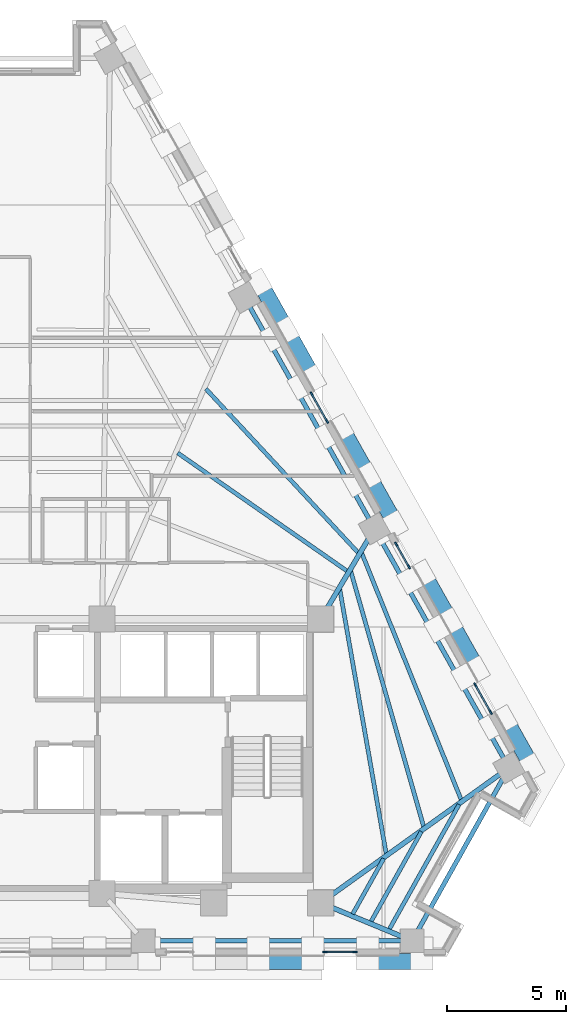
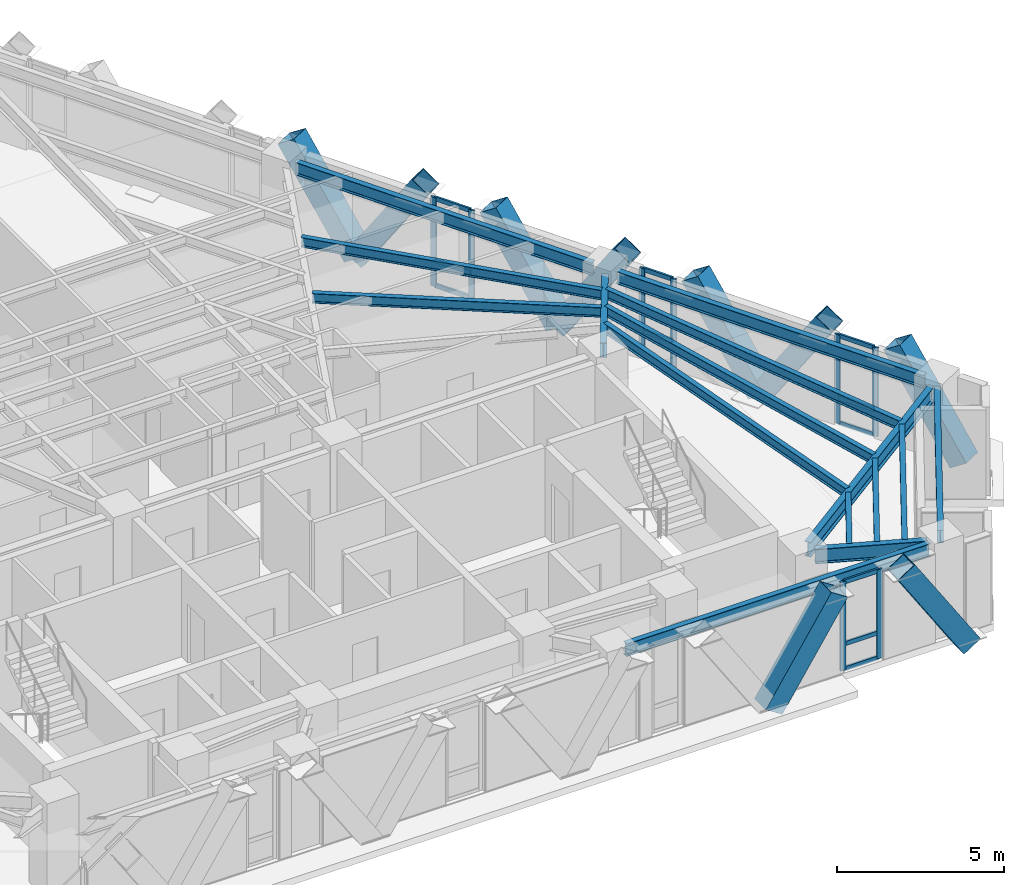
# One storey, part 4 of 13: 29 members, 15 beams, 4 elements without a shape of their own.
"""IFC4 building model written with IfcOpenShell, lengths in metres."""

from ifc_helpers import new_model, si_unit, direction, frame, origin, origin_2d, place, context, subcontext, project, spatial, rectangle, hollow_rectangle, i_section, extrude, material, material_profile, profile_set, type_object, element, aggregate, save


model = new_model("IFC4")

# Units and contexts
model_context = context("Model", 3, precision=1e-05, world=origin(), true_north=direction((0.0, 1.0)))
body_context = subcontext(model_context, "Body", "Model", "MODEL_VIEW")
ifc_project = project(units=[si_unit("LENGTHUNIT", "METRE"), si_unit("AREAUNIT", "SQUARE_METRE"), si_unit("VOLUMEUNIT", "CUBIC_METRE"), si_unit("PLANEANGLEUNIT", "RADIAN"), si_unit("MASSUNIT", "GRAM", prefix="KILO")], contexts=[model_context])

# Site, building, storey
site_placement = place(None, origin())
site = spatial("IfcSite", under=ifc_project, at=site_placement, CompositionType="ELEMENT")
building_placement = place(site_placement, origin())
building = spatial("IfcBuilding", under=site, at=building_placement, Name="Quenlor Broadcast Tower", CompositionType="ELEMENT")
storey_placement = place(building_placement, frame((0.0, 0.0, 130.0)))
storey = spatial("IfcBuildingStorey", under=building, at=storey_placement, Name="L35", CompositionType="ELEMENT", Elevation=130.0)

# Curtain wall, members
ifc_material_1 = material(Name="Architectural Terracotta and Low-E Glazing", Category="masonry")
curtain_wall_type = type_object("IfcCurtainWallType", Name="Unitised Terracotta Curtain Wall System Z3", PredefinedType="NOTDEFINED", material=ifc_material_1)
curtain_wall_1_placement = place(storey_placement, origin())
curtain_wall_1 = element("IfcCurtainWall", 1, at=curtain_wall_1_placement, inside=storey, type_object=curtain_wall_type, Name="L35 Curtain Wall CW3 (L35-SA-G1)", PredefinedType="NOTDEFINED")
ifc_material_2 = material(Name="Aluminium 6063-T6", Category="aluminium")
ifc_material_profile_1 = material_profile(ifc_material_2, rectangle(XDim=0.070068359375, YDim=0.18994140625, at=origin_2d()))
ifc_profile_set_1 = profile_set([ifc_material_profile_1], Name="Aluminium 6063-T6 MULL70x190")
member_type_1 = type_object("IfcMemberType", Name="CW3 Aluminium Mullion MULL_CW3", PredefinedType="MULLION", material=ifc_profile_set_1)
member_1_placement = place(storey_placement, frame((14.409912109375, -18.824951171875, 0.0), z_axis=(0.0, 0.0, 1.0), x_axis=(0.0, -1.0, 0.0)))
member_1 = element("IfcMember", 2, at=member_1_placement, type_object=member_type_1, Name="CW3 mullion 1", PredefinedType="MULLION", context=body_context, shape_type="SweptSolid", body=[
    extrude(rectangle(XDim=0.070068359375, YDim=0.18994140625, at=origin_2d()), origin(), (0.0, 0.0, 1.0), 3.25),
])
member_2_placement = place(storey_placement, frame((13.14208984375, -18.824951171875, 0.0), z_axis=(0.0, 0.0, 1.0), x_axis=(0.0, -1.0, 0.0)))
member_2 = element("IfcMember", 3, at=member_2_placement, type_object=member_type_1, Name="CW3 mullion 2", PredefinedType="MULLION", context=body_context, shape_type="SweptSolid", body=[
    extrude(rectangle(XDim=0.070068359375, YDim=0.18994140625, at=origin_2d()), origin(), (0.0, 0.0, 1.0), 3.25),
])

curtain_wall_2_placement = place(storey_placement, origin())
curtain_wall_2 = element("IfcCurtainWall", 4, at=curtain_wall_2_placement, inside=storey, type_object=curtain_wall_type, Name="L35 Curtain Wall CW3 (L35-NEC-G1)", PredefinedType="NOTDEFINED")
member_3_placement = place(storey_placement, frame((16.137939453125, -1.646728515625, 0.0), z_axis=(0.0, 0.0, 1.0), x_axis=(0.871580169247, 0.490253004657, 0.0)))
member_3 = element("IfcMember", 5, at=member_3_placement, type_object=member_type_1, Name="CW3 mullion 1", PredefinedType="MULLION", context=body_context, shape_type="SweptSolid", body=[
    extrude(rectangle(XDim=0.070068359375, YDim=0.18994140625, at=origin_2d()), origin(), (0.0, 0.0, 1.0), 3.25),
])
member_4_placement = place(storey_placement, frame((16.6689453125, -2.5908203125, 0.0), z_axis=(0.0, 0.0, 1.0), x_axis=(0.871580169247, 0.490253004657, 0.0)))
member_4 = element("IfcMember", 6, at=member_4_placement, type_object=member_type_1, Name="CW3 mullion 2", PredefinedType="MULLION", context=body_context, shape_type="SweptSolid", body=[
    extrude(rectangle(XDim=0.070068359375, YDim=0.18994140625, at=origin_2d()), origin(), (0.0, 0.0, 1.0), 3.25),
])

curtain_wall_3_placement = place(storey_placement, origin())
curtain_wall_3 = element("IfcCurtainWall", 7, at=curtain_wall_3_placement, inside=storey, type_object=curtain_wall_type, Name="L35 Curtain Wall CW3 (L35-NEC-G2)", PredefinedType="NOTDEFINED")
member_5_placement = place(storey_placement, frame((19.47021484375, -7.570556640625, 0.0), z_axis=(0.0, 0.0, 1.0), x_axis=(0.871575537123, 0.490261239636, 0.0)))
member_5 = element("IfcMember", 8, at=member_5_placement, type_object=member_type_1, Name="CW3 mullion 1", PredefinedType="MULLION", context=body_context, shape_type="SweptSolid", body=[
    extrude(rectangle(XDim=0.070068359375, YDim=0.18994140625, at=origin_2d()), origin(), (0.0, 0.0, 1.0), 3.25),
])
member_6_placement = place(storey_placement, frame((20.1171875, -8.720703125, 0.0), z_axis=(0.0, 0.0, 1.0), x_axis=(0.871575537123, 0.490261239636, 0.0)))
member_6 = element("IfcMember", 9, at=member_6_placement, type_object=member_type_1, Name="CW3 mullion 2", PredefinedType="MULLION", context=body_context, shape_type="SweptSolid", body=[
    extrude(rectangle(XDim=0.070068359375, YDim=0.18994140625, at=origin_2d()), origin(), (0.0, 0.0, 1.0), 3.25),
])

curtain_wall_4_placement = place(storey_placement, origin())
curtain_wall_4 = element("IfcCurtainWall", 10, at=curtain_wall_4_placement, inside=storey, type_object=curtain_wall_type, Name="L35 Curtain Wall CW3 (L35-NE-G1)", PredefinedType="NOTDEFINED")
member_7_placement = place(storey_placement, frame((12.573974609375, 4.689208984375, 0.0), z_axis=(0.0, 0.0, 1.0), x_axis=(0.871562085714, 0.490285152484, 0.0)))
member_7 = element("IfcMember", 11, at=member_7_placement, type_object=member_type_1, Name="CW3 mullion 1", PredefinedType="MULLION", context=body_context, shape_type="SweptSolid", body=[
    extrude(rectangle(XDim=0.070068359375, YDim=0.18994140625, at=origin_2d()), origin(), (0.0, 0.0, 1.0), 3.25),
])
member_8_placement = place(storey_placement, frame((13.220947265625, 3.5390625, 0.0), z_axis=(0.0, 0.0, 1.0), x_axis=(0.871562085714, 0.490285152484, 0.0)))
member_8 = element("IfcMember", 12, at=member_8_placement, type_object=member_type_1, Name="CW3 mullion 2", PredefinedType="MULLION", context=body_context, shape_type="SweptSolid", body=[
    extrude(rectangle(XDim=0.070068359375, YDim=0.18994140625, at=origin_2d()), origin(), (0.0, 0.0, 1.0), 3.25),
])

# Member
ifc_material_3 = material(Name="Aluminium 6063-T6", Category="aluminium")
ifc_material_profile_2 = material_profile(ifc_material_3, rectangle(XDim=0.070068359375, YDim=0.155029296875, at=origin_2d()))
ifc_profile_set_2 = profile_set([ifc_material_profile_2], Name="Aluminium 6063-T6 TRAN70x155")
member_type_2 = type_object("IfcMemberType", Name="CW3 Aluminium Transom TRAN_CW3", PredefinedType="USERDEFINED", material=ifc_profile_set_2)
member_9_placement = place(storey_placement, frame((14.375, -18.824951171875, 0.034912109375), z_axis=(-1.0, 0.0, 0.0), x_axis=(0.0, -1.0, 0.0)))
member_9 = element("IfcMember", 13, at=member_9_placement, type_object=member_type_2, Name="CW3 transom 1.1", ObjectType="TRANSOM", PredefinedType="USERDEFINED", context=body_context, shape_type="SweptSolid", body=[
    extrude(rectangle(XDim=0.070068359375, YDim=0.155029296875, at=origin_2d()), origin(), (0.0, 0.0, 1.0), 1.197998046875),
])

member_10_placement = place(storey_placement, frame((14.375, -18.824951171875, 0.949951171875), z_axis=(-1.0, 0.0, 0.0), x_axis=(0.0, -1.0, 0.0)))
member_10 = element("IfcMember", 14, at=member_10_placement, type_object=member_type_2, Name="CW3 transom 1.2", ObjectType="TRANSOM", PredefinedType="USERDEFINED", context=body_context, shape_type="SweptSolid", body=[
    extrude(rectangle(XDim=0.070068359375, YDim=0.155029296875, at=origin_2d()), origin(), (0.0, 0.0, 1.0), 1.197998046875),
])

member_11_placement = place(storey_placement, frame((14.375, -18.824951171875, 3.215087890625), z_axis=(-1.0, 0.0, 0.0), x_axis=(0.0, -1.0, 0.0)))
member_11 = element("IfcMember", 15, at=member_11_placement, type_object=member_type_2, Name="CW3 transom 1.3", ObjectType="TRANSOM", PredefinedType="USERDEFINED", context=body_context, shape_type="SweptSolid", body=[
    extrude(rectangle(XDim=0.070068359375, YDim=0.155029296875, at=origin_2d()), origin(), (0.0, 0.0, 1.0), 1.197998046875),
])

aggregate(curtain_wall_1, [member_1, member_2, member_9, member_10, member_11])

member_12_placement = place(storey_placement, frame((16.1552734375, -1.67724609375, 0.034912109375), z_axis=(0.49015826449, -0.871633452635, 0.0), x_axis=(0.871633452635, 0.49015826449, 0.0)))
member_12 = element("IfcMember", 16, at=member_12_placement, type_object=member_type_2, Name="CW3 transom 1.1", ObjectType="TRANSOM", PredefinedType="USERDEFINED", context=body_context, shape_type="SweptSolid", body=[
    extrude(rectangle(XDim=0.070068359375, YDim=0.155029296875, at=origin_2d()), origin(), (0.0, 0.0, 1.0), 1.01318359375),
])

member_13_placement = place(storey_placement, frame((16.1552734375, -1.67724609375, 0.949951171875), z_axis=(0.49015826449, -0.871633452635, 0.0), x_axis=(0.871633452635, 0.49015826449, 0.0)))
member_13 = element("IfcMember", 17, at=member_13_placement, type_object=member_type_2, Name="CW3 transom 1.2", ObjectType="TRANSOM", PredefinedType="USERDEFINED", context=body_context, shape_type="SweptSolid", body=[
    extrude(rectangle(XDim=0.070068359375, YDim=0.155029296875, at=origin_2d()), origin(), (0.0, 0.0, 1.0), 1.01318359375),
])

member_14_placement = place(storey_placement, frame((16.1552734375, -1.67724609375, 3.215087890625), z_axis=(0.49015826449, -0.871633452635, 0.0), x_axis=(0.871633452635, 0.49015826449, 0.0)))
member_14 = element("IfcMember", 18, at=member_14_placement, type_object=member_type_2, Name="CW3 transom 1.3", ObjectType="TRANSOM", PredefinedType="USERDEFINED", context=body_context, shape_type="SweptSolid", body=[
    extrude(rectangle(XDim=0.070068359375, YDim=0.155029296875, at=origin_2d()), origin(), (0.0, 0.0, 1.0), 1.01318359375),
])

aggregate(curtain_wall_2, [member_3, member_4, member_12, member_13, member_14])

member_15_placement = place(storey_placement, frame((19.4873046875, -7.60107421875, 0.034912109375), z_axis=(0.490363266059, -0.871518139398, 0.0), x_axis=(0.871518139398, 0.490363266059, 0.0)))
member_15 = element("IfcMember", 19, at=member_15_placement, type_object=member_type_2, Name="CW3 transom 1.1", ObjectType="TRANSOM", PredefinedType="USERDEFINED", context=body_context, shape_type="SweptSolid", body=[
    extrude(rectangle(XDim=0.070068359375, YDim=0.155029296875, at=origin_2d()), origin(), (0.0, 0.0, 1.0), 1.249755859375),
])

member_16_placement = place(storey_placement, frame((19.4873046875, -7.60107421875, 0.949951171875), z_axis=(0.490363266059, -0.871518139398, 0.0), x_axis=(0.871518139398, 0.490363266059, 0.0)))
member_16 = element("IfcMember", 20, at=member_16_placement, type_object=member_type_2, Name="CW3 transom 1.2", ObjectType="TRANSOM", PredefinedType="USERDEFINED", context=body_context, shape_type="SweptSolid", body=[
    extrude(rectangle(XDim=0.070068359375, YDim=0.155029296875, at=origin_2d()), origin(), (0.0, 0.0, 1.0), 1.249755859375),
])

member_17_placement = place(storey_placement, frame((19.4873046875, -7.60107421875, 3.215087890625), z_axis=(0.490363266059, -0.871518139398, 0.0), x_axis=(0.871518139398, 0.490363266059, 0.0)))
member_17 = element("IfcMember", 21, at=member_17_placement, type_object=member_type_2, Name="CW3 transom 1.3", ObjectType="TRANSOM", PredefinedType="USERDEFINED", context=body_context, shape_type="SweptSolid", body=[
    extrude(rectangle(XDim=0.070068359375, YDim=0.155029296875, at=origin_2d()), origin(), (0.0, 0.0, 1.0), 1.249755859375),
])

aggregate(curtain_wall_3, [member_5, member_6, member_15, member_16, member_17])

member_18_placement = place(storey_placement, frame((12.591064453125, 4.65869140625, 0.034912109375), z_axis=(0.490363266059, -0.871518139398, 0.0), x_axis=(0.871518139398, 0.490363266059, 0.0)))
member_18 = element("IfcMember", 22, at=member_18_placement, type_object=member_type_2, Name="CW3 transom 1.1", ObjectType="TRANSOM", PredefinedType="USERDEFINED", context=body_context, shape_type="SweptSolid", body=[
    extrude(rectangle(XDim=0.070068359375, YDim=0.155029296875, at=origin_2d()), origin(), (0.0, 0.0, 1.0), 1.249755859375),
])

member_19_placement = place(storey_placement, frame((12.591064453125, 4.65869140625, 0.949951171875), z_axis=(0.490363266059, -0.871518139398, 0.0), x_axis=(0.871518139398, 0.490363266059, 0.0)))
member_19 = element("IfcMember", 23, at=member_19_placement, type_object=member_type_2, Name="CW3 transom 1.2", ObjectType="TRANSOM", PredefinedType="USERDEFINED", context=body_context, shape_type="SweptSolid", body=[
    extrude(rectangle(XDim=0.070068359375, YDim=0.155029296875, at=origin_2d()), origin(), (0.0, 0.0, 1.0), 1.249755859375),
])

member_20_placement = place(storey_placement, frame((12.591064453125, 4.65869140625, 3.215087890625), z_axis=(0.490363266059, -0.871518139398, 0.0), x_axis=(0.871518139398, 0.490363266059, 0.0)))
member_20 = element("IfcMember", 24, at=member_20_placement, type_object=member_type_2, Name="CW3 transom 1.3", ObjectType="TRANSOM", PredefinedType="USERDEFINED", context=body_context, shape_type="SweptSolid", body=[
    extrude(rectangle(XDim=0.070068359375, YDim=0.155029296875, at=origin_2d()), origin(), (0.0, 0.0, 1.0), 1.249755859375),
])

aggregate(curtain_wall_4, [member_7, member_8, member_18, member_19, member_20])

# Members
ifc_material_4 = material(Name="Steel S355", Category="steel")
ifc_material_profile_3 = material_profile(ifc_material_4, hollow_rectangle(XDim=0.679931640625, YDim=0.679931640625, WallThickness=0.02490234375, at=origin_2d()))
ifc_profile_set_3 = profile_set([ifc_material_profile_3], Name="Steel S355 RHS680x680x25")
member_type_3 = type_object("IfcMemberType", Name="Perimeter Diagonal Lattice Brace Z3-Z4 Steel S355 RHS680x25", PredefinedType="BRACE", material=ifc_profile_set_3)
for number, where, z_axis, x_axis, name in (
    (25, (17.206298828125, -19.219970703125, -0.1201171875), (-0.543901560697, 0.0, 0.839149028643), (0.0, -1.0, 0.0), "L35 Perimeter Diamond Lattice S-C1S"),
    (26, (10.345703125, -19.219970703125, -0.1201171875), (0.543901560697, 0.0, 0.839149028643), (0.0, 1.0, 0.0), "L35 Perimeter Diamond Lattice S-C1B"),
):
    element("IfcMember", number, at=place(storey_placement, frame(where, z_axis=z_axis, x_axis=x_axis)), inside=storey, type_object=member_type_3, Name=name, PredefinedType="BRACE", context=body_context, shape_type="SweptSolid", body=[
        extrude(hollow_rectangle(XDim=0.679931640625, YDim=0.679931640625, WallThickness=0.02490234375, at=origin_2d()), origin(), (0.0, 0.0, 1.0), 4.1708984375),
    ])
for number, where, z_axis, x_axis, name in (
    (27, (11.5107421875, 7.385009765625, -0.1201171875), (-0.2705491942, 0.481008661973, 0.833926735766), (-0.871589611547, -0.490236217596, 0.0), "L35 Perimeter Diamond Lattice NE-C2B"),
    (28, (11.524658203125, 7.360595703125, -0.1201171875), (0.2705491942, -0.481008661973, 0.833926735766), (0.871589611547, 0.490236217596, 0.0), "L35 Perimeter Diamond Lattice NE-C3S"),
    (29, (14.958984375, 1.255126953125, -0.1201171875), (-0.2705491942, 0.481008661973, 0.833926735766), (-0.871589611547, -0.490236217596, 0.0), "L35 Perimeter Diamond Lattice NE-C3B"),
    (30, (14.97265625, 1.230712890625, -0.1201171875), (0.27060310517, -0.481001091283, 0.833913610428), (0.871544572467, 0.490316283845, 0.0), "L35 Perimeter Diamond Lattice NE-C4S"),
    (31, (18.406982421875, -4.874755859375, -0.1201171875), (-0.2705491942, 0.481008661973, 0.833926735766), (-0.871589611547, -0.490236217596, 0.0), "L35 Perimeter Diamond Lattice NE-C4B"),
    (32, (18.4208984375, -4.8994140625, -0.1201171875), (0.2705491942, -0.481008661973, 0.833926735766), (0.871589611547, 0.490236217596, 0.0), "L35 Perimeter Diamond Lattice NE-C5S"),
    (33, (21.85498046875, -11.004638671875, -0.1201171875), (-0.2705491942, 0.481008661973, 0.833926735766), (-0.871589611547, -0.490236217596, 0.0), "L35 Perimeter Diamond Lattice NE-C5B"),
):
    element("IfcMember", number, at=place(storey_placement, frame(where, z_axis=z_axis, x_axis=x_axis)), inside=storey, type_object=member_type_3, Name=name, PredefinedType="BRACE", context=body_context, shape_type="SweptSolid", body=[
        extrude(hollow_rectangle(XDim=0.679931640625, YDim=0.679931640625, WallThickness=0.02490234375, at=origin_2d()), origin(), (0.0, 0.0, 1.0), 4.197021484375),
    ])

# Beams
ifc_material_5 = material(Name="Steel S355", Category="steel")
ifc_material_profile_4 = material_profile(ifc_material_5, i_section(OverallWidth=0.19091796875, OverallDepth=0.46044921875, WebThickness=0.010009765625, FlangeThickness=0.01611328125, FilletRadius=0.011474609375, at=origin_2d()))
ifc_profile_set_4 = profile_set([ifc_material_profile_4], Name="Steel S355 460UB82.1")
beam_type_1 = type_object("IfcBeamType", Name="Perimeter Spandrel Beam Z3 Steel S355 460UB82.1", PredefinedType="SPANDREL", material=ifc_profile_set_4)
beam_1_placement = place(storey_placement, frame((5.89111328125, -18.35009765625, 3.019775390625), z_axis=(1.0, 0.0, 0.0), x_axis=(0.0, 1.0, 0.0)))
element("IfcBeam", 34, at=beam_1_placement, inside=storey, type_object=beam_type_1, Name="L35 Spandrel Beam S3-S4", PredefinedType="SPANDREL", context=body_context, shape_type="SweptSolid", body=[
    extrude(i_section(OverallWidth=0.19091796875, OverallDepth=0.46044921875, WebThickness=0.010009765625, FlangeThickness=0.01611328125, FilletRadius=0.011474609375, at=origin_2d()), origin(), (0.0, 0.0, 1.0), 10.50732421875),
])
beam_2_placement = place(storey_placement, frame((17.008544921875, -17.9921875, 3.019775390625), z_axis=(0.488298439934, 0.872676706208, 0.0), x_axis=(-0.872676706208, 0.488298439934, 0.0)))
element("IfcBeam", 35, at=beam_2_placement, inside=storey, type_object=beam_type_1, Name="L35 Spandrel Beam S4-NE1", PredefinedType="SPANDREL", context=body_context, shape_type="SweptSolid", body=[
    extrude(i_section(OverallWidth=0.19091796875, OverallDepth=0.46044921875, WebThickness=0.010009765625, FlangeThickness=0.01611328125, FilletRadius=0.011474609375, at=origin_2d()), origin(), (0.0, 0.0, 1.0), 7.5341796875),
])
beam_3_placement = place(storey_placement, frame((20.686767578125, -10.7021484375, 3.019775390625), z_axis=(-0.490257999604, 0.871577359633, 0.0), x_axis=(-0.871577359633, -0.490257999604, 0.0)))
element("IfcBeam", 36, at=beam_3_placement, inside=storey, type_object=beam_type_1, Name="L35 Spandrel Beam NE1-NE2", PredefinedType="SPANDREL", context=body_context, shape_type="SweptSolid", body=[
    extrude(i_section(OverallWidth=0.19091796875, OverallDepth=0.46044921875, WebThickness=0.010009765625, FlangeThickness=0.01611328125, FilletRadius=0.011474609375, at=origin_2d()), origin(), (0.0, 0.0, 1.0), 10.732666015625),
])
beam_4_placement = place(storey_placement, frame((15.02294921875, -0.63330078125, 3.019775390625), z_axis=(-0.490252288562, 0.871580572041, 0.0), x_axis=(-0.871580572041, -0.490252288562, 0.0)))
element("IfcBeam", 37, at=beam_4_placement, inside=storey, type_object=beam_type_1, Name="L35 Spandrel Beam NE2-NE3", PredefinedType="SPANDREL", context=body_context, shape_type="SweptSolid", body=[
    extrude(i_section(OverallWidth=0.19091796875, OverallDepth=0.46044921875, WebThickness=0.010009765625, FlangeThickness=0.01611328125, FilletRadius=0.011474609375, at=origin_2d()), origin(), (0.0, 0.0, 1.0), 10.359619140625),
])
ifc_material_6 = material(Name="Steel S355", Category="steel")
ifc_material_profile_5 = material_profile(ifc_material_6, i_section(OverallWidth=0.172119140625, OverallDepth=0.358642578125, WebThickness=0.008056640625, FlangeThickness=0.012939453125, FilletRadius=0.011474609375, at=origin_2d()))
ifc_profile_set_5 = profile_set([ifc_material_profile_5], Name="Steel S355 360UB56.7")
beam_type_2 = type_object("IfcBeamType", Name="Tower Composite Joist Z2-Z3 Steel S355 360UB56.7", PredefinedType="JOIST", material=ifc_profile_set_5)
beam_5_placement = place(storey_placement, frame((14.06689453125, -2.7734375, 3.07080078125), z_axis=(-0.82026568394, 0.57198269882, 0.0), x_axis=(-0.57198269882, -0.82026568394, 0.0)))
element("IfcBeam", 38, at=beam_5_placement, inside=storey, type_object=beam_type_2, Name="L35 Secondary Composite Joist 11", PredefinedType="JOIST", context=body_context, shape_type="SweptSolid", body=[
    extrude(i_section(OverallWidth=0.172119140625, OverallDepth=0.358642578125, WebThickness=0.008056640625, FlangeThickness=0.012939453125, FilletRadius=0.011474609375, at=origin_2d()), origin(), (0.0, 0.0, 1.0), 8.698486328125),
])
beam_6_placement = place(storey_placement, frame((14.53271484375, -1.998779296875, 3.07080078125), z_axis=(-0.680873505991, 0.732401030065, 0.0), x_axis=(-0.732401030065, -0.680873505991, 0.0)))
element("IfcBeam", 39, at=beam_6_placement, inside=storey, type_object=beam_type_2, Name="L35 Secondary Composite Joist 12", PredefinedType="JOIST", context=body_context, shape_type="SweptSolid", body=[
    extrude(i_section(OverallWidth=0.172119140625, OverallDepth=0.358642578125, WebThickness=0.008056640625, FlangeThickness=0.012939453125, FilletRadius=0.011474609375, at=origin_2d()), origin(), (0.0, 0.0, 1.0), 9.419189453125),
])
beam_7_placement = place(storey_placement, frame((15.71435546875, -14.679443359375, 3.07080078125), z_axis=(-0.172906811417, 0.984938188195, 0.0), x_axis=(-0.984938188195, -0.172906811417, 0.0)))
element("IfcBeam", 40, at=beam_7_placement, inside=storey, type_object=beam_type_2, Name="L35 Secondary Composite Joist 16", PredefinedType="JOIST", context=body_context, shape_type="SweptSolid", body=[
    extrude(i_section(OverallWidth=0.172119140625, OverallDepth=0.358642578125, WebThickness=0.008056640625, FlangeThickness=0.012939453125, FilletRadius=0.011474609375, at=origin_2d()), origin(), (0.0, 0.0, 1.0), 11.30419921875),
])
beam_8_placement = place(storey_placement, frame((17.293701171875, -13.543212890625, 3.07080078125), z_axis=(-0.274418577045, 0.961610339261, 0.0), x_axis=(-0.961610339261, -0.274418577045, 0.0)))
element("IfcBeam", 41, at=beam_8_placement, inside=storey, type_object=beam_type_2, Name="L35 Secondary Composite Joist 17", PredefinedType="JOIST", context=body_context, shape_type="SweptSolid", body=[
    extrude(i_section(OverallWidth=0.172119140625, OverallDepth=0.358642578125, WebThickness=0.008056640625, FlangeThickness=0.012939453125, FilletRadius=0.011474609375, at=origin_2d()), origin(), (0.0, 0.0, 1.0), 11.191162109375),
])
beam_9_placement = place(storey_placement, frame((18.873291015625, -12.407958984375, 3.07080078125), z_axis=(-0.373824118901, 0.927499610851, 0.0), x_axis=(-0.927499610851, -0.373824118901, 0.0)))
element("IfcBeam", 42, at=beam_9_placement, inside=storey, type_object=beam_type_2, Name="L35 Secondary Composite Joist 18", PredefinedType="JOIST", context=body_context, shape_type="SweptSolid", body=[
    extrude(i_section(OverallWidth=0.172119140625, OverallDepth=0.358642578125, WebThickness=0.008056640625, FlangeThickness=0.012939453125, FilletRadius=0.011474609375, at=origin_2d()), origin(), (0.0, 0.0, 1.0), 11.203125),
])
beam_10_placement = place(storey_placement, frame((14.30078125, -17.22412109375, 3.07080078125), z_axis=(0.488370382241, 0.87263644764, 0.0), x_axis=(-0.87263644764, 0.488370382241, 0.0)))
element("IfcBeam", 43, at=beam_10_placement, inside=storey, type_object=beam_type_2, Name="L35 Secondary Composite Joist 22", PredefinedType="JOIST", context=body_context, shape_type="SweptSolid", body=[
    extrude(i_section(OverallWidth=0.172119140625, OverallDepth=0.358642578125, WebThickness=0.008056640625, FlangeThickness=0.012939453125, FilletRadius=0.011474609375, at=origin_2d()), origin(), (0.0, 0.0, 1.0), 2.680419921875),
])
beam_11_placement = place(storey_placement, frame((15.072509765625, -17.544189453125, 3.07080078125), z_axis=(0.488294103756, 0.872679132463, 0.0), x_axis=(-0.872679132463, 0.488294103756, 0.0)))
element("IfcBeam", 44, at=beam_11_placement, inside=storey, type_object=beam_type_2, Name="L35 Secondary Composite Joist 23", PredefinedType="JOIST", context=body_context, shape_type="SweptSolid", body=[
    extrude(i_section(OverallWidth=0.172119140625, OverallDepth=0.358642578125, WebThickness=0.008056640625, FlangeThickness=0.012939453125, FilletRadius=0.011474609375, at=origin_2d()), origin(), (0.0, 0.0, 1.0), 4.351318359375),
])
beam_12_placement = place(storey_placement, frame((15.84423828125, -17.8642578125, 3.07080078125), z_axis=(0.488308300212, 0.872671188905, 0.0), x_axis=(-0.872671188905, 0.488308300212, 0.0)))
element("IfcBeam", 45, at=beam_12_placement, inside=storey, type_object=beam_type_2, Name="L35 Secondary Composite Joist 24", PredefinedType="JOIST", context=body_context, shape_type="SweptSolid", body=[
    extrude(i_section(OverallWidth=0.172119140625, OverallDepth=0.358642578125, WebThickness=0.008056640625, FlangeThickness=0.012939453125, FilletRadius=0.011474609375, at=origin_2d()), origin(), (0.0, 0.0, 1.0), 6.022216796875),
])
ifc_material_7 = material(Name="Steel S355", Category="steel")
ifc_material_profile_6 = material_profile(ifc_material_7, i_section(OverallWidth=0.208984375, OverallDepth=0.532958984375, WebThickness=0.01025390625, FlangeThickness=0.015625, FilletRadius=0.013916015625, at=origin_2d()))
ifc_profile_set_6 = profile_set([ifc_material_profile_6], Name="Steel S355 530UB92.4")
beam_type_3 = type_object("IfcBeamType", Name="Tower Primary Floor Beam Z3 Steel S355 530UB92.4", PredefinedType="BEAM", material=ifc_profile_set_6)
beam_13_placement = place(storey_placement, frame((16.4296875, -18.19287109375, 2.9833984375), z_axis=(-0.923730294618, 0.383043525993, 0.0), x_axis=(-0.383043525993, -0.923730294618, 0.0)))
element("IfcBeam", 46, at=beam_13_placement, inside=storey, type_object=beam_type_3, Name="L35 Primary Radial Beam S4", PredefinedType="BEAM", context=body_context, shape_type="SweptSolid", body=[
    extrude(i_section(OverallWidth=0.208984375, OverallDepth=0.532958984375, WebThickness=0.01025390625, FlangeThickness=0.015625, FilletRadius=0.013916015625, at=origin_2d()), origin(), (0.0, 0.0, 1.0), 3.386962890625),
])
beam_14_placement = place(storey_placement, frame((20.554443359375, -11.29833984375, 2.9833984375), z_axis=(-0.812728908832, -0.582642017666, 0.0), x_axis=(0.582642017666, -0.812728908832, 0.0)))
element("IfcBeam", 47, at=beam_14_placement, inside=storey, type_object=beam_type_3, Name="L35 Primary Radial Beam NE1", PredefinedType="BEAM", context=body_context, shape_type="SweptSolid", body=[
    extrude(i_section(OverallWidth=0.208984375, OverallDepth=0.532958984375, WebThickness=0.01025390625, FlangeThickness=0.015625, FilletRadius=0.013916015625, at=origin_2d()), origin(), (0.0, 0.0, 1.0), 8.976806640625),
])
beam_15_placement = place(storey_placement, frame((15.013916015625, -1.3427734375, 2.9833984375), z_axis=(-0.512604023694, -0.858625130597, 0.0), x_axis=(0.858625130597, -0.512604023694, 0.0)))
element("IfcBeam", 48, at=beam_15_placement, inside=storey, type_object=beam_type_3, Name="L35 Primary Radial Beam NE2", PredefinedType="BEAM", context=body_context, shape_type="SweptSolid", body=[
    extrude(i_section(OverallWidth=0.208984375, OverallDepth=0.532958984375, WebThickness=0.01025390625, FlangeThickness=0.015625, FilletRadius=0.013916015625, at=origin_2d()), origin(), (0.0, 0.0, 1.0), 3.646484375),
])

save(model, "model.ifc")
